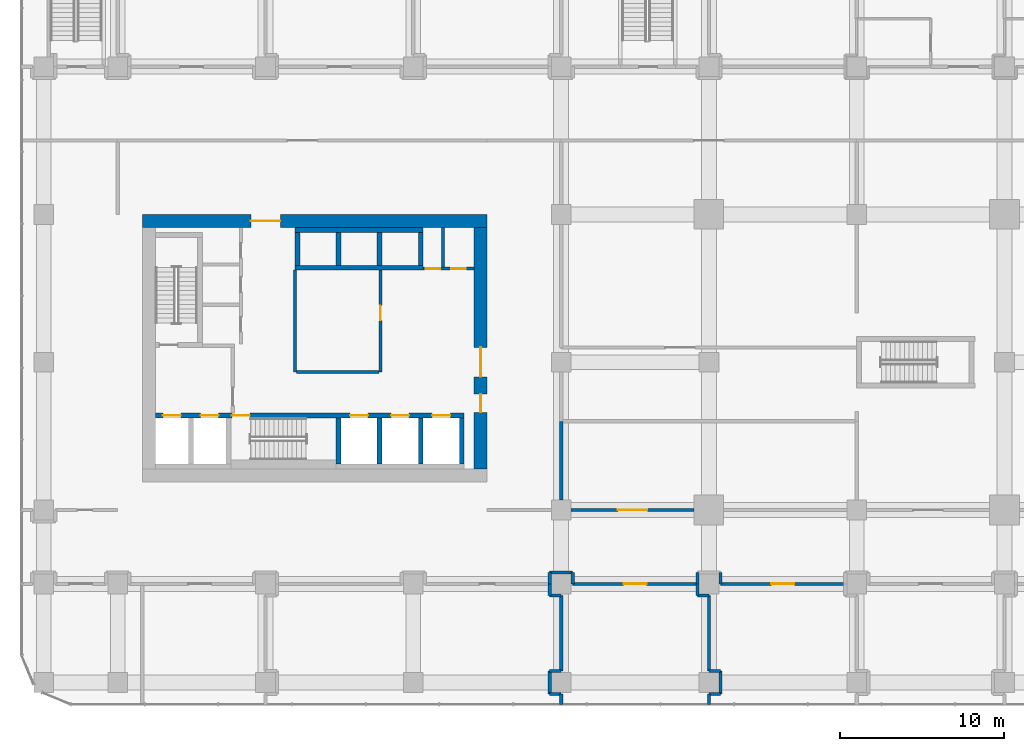
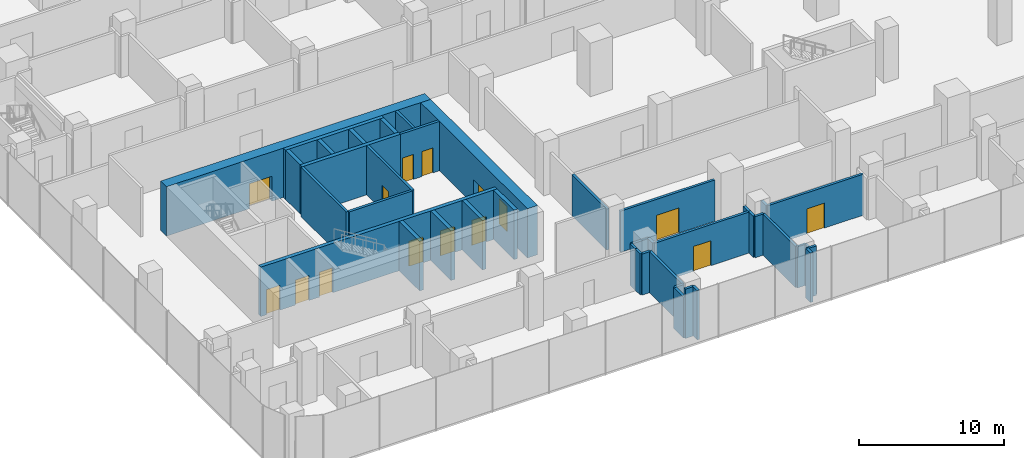
# One storey, part 29 of 43: 41 walls, 15 doors, 15 openings.
"""IFC4 building model written with IfcOpenShell, lengths in metres."""

from ifc_helpers import new_model, si_unit, direction, frame, frame_2d, origin, place, context, subcontext, project, spatial, rectangle, extrude, material, layer, layer_set, type_object, element, fill, save


model = new_model("IFC4")

# Units and contexts
model_context = context("Model", 3, precision=1e-05, world=origin(), true_north=direction((0.0, 1.0)))
body_context = subcontext(model_context, "Body", "Model", "MODEL_VIEW")
ifc_project = project(units=[si_unit("LENGTHUNIT", "METRE"), si_unit("AREAUNIT", "SQUARE_METRE"), si_unit("VOLUMEUNIT", "CUBIC_METRE"), si_unit("PLANEANGLEUNIT", "RADIAN"), si_unit("MASSUNIT", "GRAM", prefix="KILO")], contexts=[model_context])

# Site, building, storey
site_placement = place(None, origin())
site = spatial("IfcSite", under=ifc_project, at=site_placement, CompositionType="ELEMENT")
building_placement = place(site_placement, origin())
building = spatial("IfcBuilding", under=site, at=building_placement, Name="Plateau Cross Towers", CompositionType="ELEMENT")
storey_placement = place(building_placement, frame((0.0, 0.0, 12.800048828125)))
storey = spatial("IfcBuildingStorey", under=building, at=storey_placement, Name="L02", CompositionType="ELEMENT", Elevation=12.800048828125)

# Walls
ifc_material_1 = material(Name="Concrete block, plastered both sides", Category="concrete")
ifc_layer_1 = layer(ifc_material_1, 0.199951171875)
ifc_layer_set_1 = layer_set([ifc_layer_1], Name="Concrete block, plastered both sides")
wall_type_1 = type_object("IfcWallType", Name="Core partition 200", PredefinedType="PARTITIONING", material=ifc_layer_set_1)
wall_1_placement = place(storey_placement, frame((10.800048828125, 8.39990234375, 0.0), z_axis=(0.0, 0.0, 1.0), x_axis=(0.0, 1.0, 0.0)))
element("IfcWall", 1, at=wall_1_placement, inside=storey, type_object=wall_type_1, Name="Core partition", PredefinedType="PARTITIONING", context=body_context, shape_type="SweptSolid", body=[
    extrude(rectangle(XDim=6.2001953125, YDim=0.199951171875, at=frame_2d((3.10009765625, 0.0))), origin(), (0.0, 0.0, 1.0), 4.14990234375),
])
wall_2_placement = place(storey_placement, frame((10.89990234375, 8.39990234375, 0.0), z_axis=(0.0, 0.0, 1.0), x_axis=(1.0, 0.0, 0.0)))
element("IfcWall", 2, at=wall_2_placement, inside=storey, type_object=wall_type_1, Name="Core partition", PredefinedType="PARTITIONING", context=body_context, shape_type="SweptSolid", body=[
    extrude(rectangle(XDim=5.0, YDim=0.199951171875, at=frame_2d((2.5, 0.0))), origin(), (0.0, 0.0, 1.0), 4.14990234375),
])

# Wall, opening, door
wall_3_placement = place(storey_placement, frame((16.0, 8.39990234375, 0.0), z_axis=(0.0, 0.0, 1.0), x_axis=(0.0, 1.0, 0.0)))
wall_3 = element("IfcWall", 3, at=wall_3_placement, inside=storey, type_object=wall_type_1, Name="Core partition", PredefinedType="PARTITIONING", context=body_context, shape_type="SweptSolid", body=[
    extrude(rectangle(XDim=6.2001953125, YDim=0.199951171875, at=frame_2d((3.10009765625, 0.0))), origin(), (0.0, 0.0, 1.0), 4.14990234375),
])
opening_1_placement = place(wall_3_placement, frame((3.14990234375, 0.0, 0.0)))
opening_1 = element("IfcOpeningElement", 4, at=opening_1_placement, cuts=wall_3, Name="Opening RD1", PredefinedType="OPENING", context=body_context, shape_type="SweptSolid", body=[
    extrude(rectangle(XDim=0.89990234375, YDim=2.10009765625, at=frame_2d((0.449951171875, 1.050048828125))), frame((0.0, 0.10986328125, 0.0), z_axis=(0.0, -1.0, 0.0), x_axis=(1.0, 0.0, 0.0)), (0.0, 0.0, 1.0), 0.219970703125),
])
ifc_material_2 = material(Name="Timber, fire-resisting leaf", Category="wood")
door_type_1 = type_object("IfcDoorType", Name="Core service door 900", OperationType="NOTDEFINED", PredefinedType="DOOR", material=ifc_material_2)
door_1_placement = place(opening_1_placement, origin())
door_1 = element("IfcDoor", 5, at=door_1_placement, inside=storey, type_object=door_type_1, Name="Core service door RD1", OperationType="SINGLE_SWING_LEFT", OverallHeight=2.10009765625, OverallWidth=0.89990234375, PredefinedType="DOOR", context=body_context, shape_type="SweptSolid", body=[
    extrude(rectangle(XDim=0.89990234375, YDim=2.10009765625, at=frame_2d((0.449951171875, 1.050048828125))), frame((0.0, 0.02490234375, 0.0), z_axis=(0.0, -1.0, 0.0), x_axis=(1.0, 0.0, 0.0)), (0.0, 0.0, 1.0), 0.050048828125),
])
fill(opening_1, door_1)

# Wall, openings, doors
wall_4_placement = place(storey_placement, frame((18.60009765625, 14.699951171875, 0.0), z_axis=(0.0, 0.0, 1.0), x_axis=(1.0, 0.0, 0.0)))
wall_4 = element("IfcWall", 6, at=wall_4_placement, inside=storey, type_object=wall_type_1, Name="Core partition", PredefinedType="PARTITIONING", context=body_context, shape_type="SweptSolid", body=[
    extrude(rectangle(XDim=3.099853515625, YDim=0.199951171875, at=frame_2d((1.5498046875, 0.0))), origin(), (0.0, 0.0, 1.0), 4.14990234375),
])
opening_2_placement = place(wall_4_placement, frame((0.14990234375, 0.0, 0.0)))
opening_2 = element("IfcOpeningElement", 7, at=opening_2_placement, cuts=wall_4, Name="Opening RD2", PredefinedType="OPENING", context=body_context, shape_type="SweptSolid", body=[
    extrude(rectangle(XDim=0.89990234375, YDim=2.10009765625, at=frame_2d((0.449951171875, 1.050048828125))), frame((0.0, 0.10986328125, 0.0), z_axis=(0.0, -1.0, 0.0), x_axis=(1.0, 0.0, 0.0)), (0.0, 0.0, 1.0), 0.219970703125),
])
opening_3_placement = place(wall_4_placement, frame((1.699951171875, 0.0, 0.0)))
opening_3 = element("IfcOpeningElement", 8, at=opening_3_placement, cuts=wall_4, Name="Opening RD2", PredefinedType="OPENING", context=body_context, shape_type="SweptSolid", body=[
    extrude(rectangle(XDim=0.89990234375, YDim=2.10009765625, at=frame_2d((0.449951171875, 1.050048828125))), frame((0.0, 0.10986328125, 0.0), z_axis=(0.0, -1.0, 0.0), x_axis=(1.0, 0.0, 0.0)), (0.0, 0.0, 1.0), 0.219970703125),
])
ifc_material_3 = material(Name="Steel, fire-resisting leaf", Category="steel")
door_type_2 = type_object("IfcDoorType", Name="Core riser door 900", OperationType="NOTDEFINED", PredefinedType="DOOR", material=ifc_material_3)
door_2_placement = place(opening_2_placement, origin())
door_2 = element("IfcDoor", 9, at=door_2_placement, inside=storey, type_object=door_type_2, Name="Core riser door RD2", OperationType="SINGLE_SWING_LEFT", OverallHeight=2.10009765625, OverallWidth=0.89990234375, PredefinedType="DOOR", context=body_context, shape_type="SweptSolid", body=[
    extrude(rectangle(XDim=0.89990234375, YDim=2.10009765625, at=frame_2d((0.449951171875, 1.050048828125))), frame((0.0, 0.02490234375, 0.0), z_axis=(0.0, -1.0, 0.0), x_axis=(1.0, 0.0, 0.0)), (0.0, 0.0, 1.0), 0.050048828125),
])
fill(opening_2, door_2)
door_3_placement = place(opening_3_placement, origin())
door_3 = element("IfcDoor", 10, at=door_3_placement, inside=storey, type_object=door_type_2, Name="Core riser door RD2", OperationType="SINGLE_SWING_LEFT", OverallHeight=2.10009765625, OverallWidth=0.89990234375, PredefinedType="DOOR", context=body_context, shape_type="SweptSolid", body=[
    extrude(rectangle(XDim=0.89990234375, YDim=2.10009765625, at=frame_2d((0.449951171875, 1.050048828125))), frame((0.0, 0.02490234375, 0.0), z_axis=(0.0, -1.0, 0.0), x_axis=(1.0, 0.0, 0.0)), (0.0, 0.0, 1.0), 0.050048828125),
])
fill(opening_3, door_3)

# Walls
wall_5_placement = place(storey_placement, frame((19.800048828125, 14.800048828125, 0.0), z_axis=(0.0, 0.0, 1.0), x_axis=(0.0, 1.0, 0.0)))
element("IfcWall", 11, at=wall_5_placement, inside=storey, type_object=wall_type_1, Name="Core partition", PredefinedType="PARTITIONING", context=body_context, shape_type="SweptSolid", body=[
    extrude(rectangle(XDim=2.39990234375, YDim=0.199951171875, at=frame_2d((1.199951171875, 0.0))), origin(), (0.0, 0.0, 1.0), 4.14990234375),
])
ifc_material_4 = material(Name="Concrete C60/75", Category="concrete")
ifc_layer_2 = layer(ifc_material_4, 0.300048828125)
ifc_layer_set_2 = layer_set([ifc_layer_2], Name="Concrete C60/75")
wall_type_2 = type_object("IfcWallType", Name="Core shaft wall 300", PredefinedType="SHEAR", material=ifc_layer_set_2)
for number, where, z_axis, x_axis, name in (
    (12, (13.449951171875, 2.800048828125, 0.0), (0.0, 0.0, 1.0), (0.0, 1.0, 0.0), "A-sb-v3@L02"),
    (13, (15.949951171875, 2.800048828125, 0.0), (0.0, 0.0, 1.0), (0.0, 1.0, 0.0), "A-sb-v4@L02"),
    (14, (18.449951171875, 2.800048828125, 0.0), (0.0, 0.0, 1.0), (0.0, 1.0, 0.0), "A-sb-v5@L02"),
    (15, (20.949951171875, 2.800048828125, 0.0), (0.0, 0.0, 1.0), (0.0, 1.0, 0.0), "A-sb-v6@L02"),
):
    element("IfcWall", number, at=place(storey_placement, frame(where, z_axis=z_axis, x_axis=x_axis)), inside=storey, type_object=wall_type_2, Name=name, PredefinedType="SHEAR", context=body_context, shape_type="SweptSolid", body=[
        extrude(rectangle(XDim=2.800048828125, YDim=0.300048828125, at=frame_2d((1.39990234375, 0.0))), origin(), (0.0, 0.0, 1.0), 4.14990234375),
    ])

# Wall, openings, doors
wall_6_placement = place(storey_placement, frame((2.300048828125, 5.75, 0.0), z_axis=(0.0, 0.0, 1.0), x_axis=(1.0, 0.0, 0.0)))
wall_6 = element("IfcWall", 16, at=wall_6_placement, inside=storey, type_object=wall_type_2, Name="A-sb-front@L02", PredefinedType="SHEAR", context=body_context, shape_type="SweptSolid", body=[
    extrude(rectangle(XDim=18.800048828125, YDim=0.300048828125, at=frame_2d((9.39990234375, 0.0))), origin(), (0.0, 0.0, 1.0), 4.14990234375),
])
opening_4_placement = place(wall_6_placement, frame((4.64990234375, 0.0, 0.0)))
opening_4 = element("IfcOpeningElement", 17, at=opening_4_placement, cuts=wall_6, Name="Opening SD", PredefinedType="OPENING", context=body_context, shape_type="SweptSolid", body=[
    extrude(rectangle(XDim=1.10009765625, YDim=2.10009765625, at=frame_2d((0.550048828125, 1.050048828125))), frame((0.0, 0.159912109375, 0.0), z_axis=(0.0, -1.0, 0.0), x_axis=(1.0, 0.0, 0.0)), (0.0, 0.0, 1.0), 0.320068359375),
])
opening_5_placement = place(wall_6_placement, frame((0.449951171875, 0.0, 0.0)))
opening_5 = element("IfcOpeningElement", 18, at=opening_5_placement, cuts=wall_6, Name="Opening LD", PredefinedType="OPENING", context=body_context, shape_type="SweptSolid", body=[
    extrude(rectangle(XDim=1.10009765625, YDim=2.10009765625, at=frame_2d((0.550048828125, 1.050048828125))), frame((0.0, 0.159912109375, 0.0), z_axis=(0.0, -1.0, 0.0), x_axis=(1.0, 0.0, 0.0)), (0.0, 0.0, 1.0), 0.320068359375),
])
opening_6_placement = place(wall_6_placement, frame((2.75, 0.0, 0.0)))
opening_6 = element("IfcOpeningElement", 19, at=opening_6_placement, cuts=wall_6, Name="Opening LD", PredefinedType="OPENING", context=body_context, shape_type="SweptSolid", body=[
    extrude(rectangle(XDim=1.10009765625, YDim=2.10009765625, at=frame_2d((0.550048828125, 1.050048828125))), frame((0.0, 0.159912109375, 0.0), z_axis=(0.0, -1.0, 0.0), x_axis=(1.0, 0.0, 0.0)), (0.0, 0.0, 1.0), 0.320068359375),
])
opening_7_placement = place(wall_6_placement, frame((11.85009765625, 0.0, 0.0)))
opening_7 = element("IfcOpeningElement", 20, at=opening_7_placement, cuts=wall_6, Name="Opening LD", PredefinedType="OPENING", context=body_context, shape_type="SweptSolid", body=[
    extrude(rectangle(XDim=1.10009765625, YDim=2.10009765625, at=frame_2d((0.550048828125, 1.050048828125))), frame((0.0, 0.159912109375, 0.0), z_axis=(0.0, -1.0, 0.0), x_axis=(1.0, 0.0, 0.0)), (0.0, 0.0, 1.0), 0.320068359375),
])
opening_8_placement = place(wall_6_placement, frame((14.35009765625, 0.0, 0.0)))
opening_8 = element("IfcOpeningElement", 21, at=opening_8_placement, cuts=wall_6, Name="Opening LD", PredefinedType="OPENING", context=body_context, shape_type="SweptSolid", body=[
    extrude(rectangle(XDim=1.10009765625, YDim=2.10009765625, at=frame_2d((0.550048828125, 1.050048828125))), frame((0.0, 0.159912109375, 0.0), z_axis=(0.0, -1.0, 0.0), x_axis=(1.0, 0.0, 0.0)), (0.0, 0.0, 1.0), 0.320068359375),
])
opening_9_placement = place(wall_6_placement, frame((16.85009765625, 0.0, 0.0)))
opening_9 = element("IfcOpeningElement", 22, at=opening_9_placement, cuts=wall_6, Name="Opening LD", PredefinedType="OPENING", context=body_context, shape_type="SweptSolid", body=[
    extrude(rectangle(XDim=1.10009765625, YDim=2.10009765625, at=frame_2d((0.550048828125, 1.050048828125))), frame((0.0, 0.159912109375, 0.0), z_axis=(0.0, -1.0, 0.0), x_axis=(1.0, 0.0, 0.0)), (0.0, 0.0, 1.0), 0.320068359375),
])
ifc_material_5 = material(Name="Stainless steel, fire-resisting sliding leaves", Category="steel")
door_type_3 = type_object("IfcDoorType", Name="Lift landing door 1100", OperationType="NOTDEFINED", PredefinedType="DOOR", material=ifc_material_5)
door_4_placement = place(opening_5_placement, origin())
door_4 = element("IfcDoor", 23, at=door_4_placement, inside=storey, type_object=door_type_3, Name="Lift landing door LD", OperationType="DOUBLE_DOOR_SLIDING", OverallHeight=2.10009765625, OverallWidth=1.10009765625, PredefinedType="DOOR", context=body_context, shape_type="SweptSolid", body=[
    extrude(rectangle(XDim=1.10009765625, YDim=2.10009765625, at=frame_2d((0.550048828125, 1.050048828125))), frame((0.0, 0.02490234375, 0.0), z_axis=(0.0, -1.0, 0.0), x_axis=(1.0, 0.0, 0.0)), (0.0, 0.0, 1.0), 0.050048828125),
])
fill(opening_5, door_4)
door_5_placement = place(opening_6_placement, origin())
door_5 = element("IfcDoor", 24, at=door_5_placement, inside=storey, type_object=door_type_3, Name="Lift landing door LD", OperationType="DOUBLE_DOOR_SLIDING", OverallHeight=2.10009765625, OverallWidth=1.10009765625, PredefinedType="DOOR", context=body_context, shape_type="SweptSolid", body=[
    extrude(rectangle(XDim=1.10009765625, YDim=2.10009765625, at=frame_2d((0.550048828125, 1.050048828125))), frame((0.0, 0.02490234375, 0.0), z_axis=(0.0, -1.0, 0.0), x_axis=(1.0, 0.0, 0.0)), (0.0, 0.0, 1.0), 0.050048828125),
])
fill(opening_6, door_5)
door_6_placement = place(opening_7_placement, origin())
door_6 = element("IfcDoor", 25, at=door_6_placement, inside=storey, type_object=door_type_3, Name="Lift landing door LD", OperationType="DOUBLE_DOOR_SLIDING", OverallHeight=2.10009765625, OverallWidth=1.10009765625, PredefinedType="DOOR", context=body_context, shape_type="SweptSolid", body=[
    extrude(rectangle(XDim=1.10009765625, YDim=2.10009765625, at=frame_2d((0.550048828125, 1.050048828125))), frame((0.0, 0.02490234375, 0.0), z_axis=(0.0, -1.0, 0.0), x_axis=(1.0, 0.0, 0.0)), (0.0, 0.0, 1.0), 0.050048828125),
])
fill(opening_7, door_6)
door_7_placement = place(opening_8_placement, origin())
door_7 = element("IfcDoor", 26, at=door_7_placement, inside=storey, type_object=door_type_3, Name="Lift landing door LD", OperationType="DOUBLE_DOOR_SLIDING", OverallHeight=2.10009765625, OverallWidth=1.10009765625, PredefinedType="DOOR", context=body_context, shape_type="SweptSolid", body=[
    extrude(rectangle(XDim=1.10009765625, YDim=2.10009765625, at=frame_2d((0.550048828125, 1.050048828125))), frame((0.0, 0.02490234375, 0.0), z_axis=(0.0, -1.0, 0.0), x_axis=(1.0, 0.0, 0.0)), (0.0, 0.0, 1.0), 0.050048828125),
])
fill(opening_8, door_7)
door_8_placement = place(opening_9_placement, origin())
door_8 = element("IfcDoor", 27, at=door_8_placement, inside=storey, type_object=door_type_3, Name="Lift landing door LD", OperationType="DOUBLE_DOOR_SLIDING", OverallHeight=2.10009765625, OverallWidth=1.10009765625, PredefinedType="DOOR", context=body_context, shape_type="SweptSolid", body=[
    extrude(rectangle(XDim=1.10009765625, YDim=2.10009765625, at=frame_2d((0.550048828125, 1.050048828125))), frame((0.0, 0.02490234375, 0.0), z_axis=(0.0, -1.0, 0.0), x_axis=(1.0, 0.0, 0.0)), (0.0, 0.0, 1.0), 0.050048828125),
])
fill(opening_9, door_8)
door_type_4 = type_object("IfcDoorType", Name="Stair door 1100", OperationType="NOTDEFINED", PredefinedType="DOOR", material=ifc_material_3)
door_9_placement = place(opening_4_placement, origin())
door_9 = element("IfcDoor", 28, at=door_9_placement, inside=storey, type_object=door_type_4, Name="Stair door SD", OperationType="SINGLE_SWING_LEFT", OverallHeight=2.10009765625, OverallWidth=1.10009765625, PredefinedType="DOOR", context=body_context, shape_type="SweptSolid", body=[
    extrude(rectangle(XDim=1.10009765625, YDim=2.10009765625, at=frame_2d((0.550048828125, 1.050048828125))), frame((0.0, 0.02490234375, 0.0), z_axis=(0.0, -1.0, 0.0), x_axis=(1.0, 0.0, 0.0)), (0.0, 0.0, 1.0), 0.050048828125),
])
fill(opening_4, door_9)

# Walls
for number, where, z_axis, x_axis, name in (
    (29, (10.800048828125, 17.050048828125, 0.0), (0.0, 0.0, 1.0), (1.0, 0.0, 0.0), "A-nb-back@L02"),
    (30, (10.800048828125, 14.75, 0.0), (0.0, 0.0, 1.0), (1.0, 0.0, 0.0), "A-nb-front@L02"),
):
    element("IfcWall", number, at=place(storey_placement, frame(where, z_axis=z_axis, x_axis=x_axis)), inside=storey, type_object=wall_type_2, Name=name, PredefinedType="SHEAR", context=body_context, shape_type="SweptSolid", body=[
        extrude(rectangle(XDim=7.800048828125, YDim=0.300048828125, at=frame_2d((3.89990234375, 0.0))), origin(), (0.0, 0.0, 1.0), 4.14990234375),
    ])
for number, where, z_axis, x_axis, name in (
    (31, (10.949951171875, 14.89990234375, 0.0), (0.0, 0.0, 1.0), (0.0, 1.0, 0.0), "A-nb-v1@L02"),
    (32, (13.449951171875, 14.89990234375, 0.0), (0.0, 0.0, 1.0), (0.0, 1.0, 0.0), "A-nb-v2@L02"),
    (33, (15.949951171875, 14.89990234375, 0.0), (0.0, 0.0, 1.0), (0.0, 1.0, 0.0), "A-nb-v3@L02"),
    (34, (18.449951171875, 14.89990234375, 0.0), (0.0, 0.0, 1.0), (0.0, 1.0, 0.0), "A-nb-v4@L02"),
):
    element("IfcWall", number, at=place(storey_placement, frame(where, z_axis=z_axis, x_axis=x_axis)), inside=storey, type_object=wall_type_2, Name=name, PredefinedType="SHEAR", context=body_context, shape_type="SweptSolid", body=[
        extrude(rectangle(XDim=2.0, YDim=0.300048828125, at=frame_2d((1.0, 0.0))), origin(), (0.0, 0.0, 1.0), 4.14990234375),
    ])

# Wall, opening, door
ifc_layer_3 = layer(ifc_material_4, 0.800048828125)
ifc_layer_set_3 = layer_set([ifc_layer_3], Name="Concrete C60/75")
wall_type_3 = type_object("IfcWallType", Name="Core shell wall 800", PredefinedType="SHEAR", material=ifc_layer_set_3)
wall_7_placement = place(storey_placement, frame((1.5, 17.60009765625, 0.0), z_axis=(0.0, 0.0, 1.0), x_axis=(1.0, 0.0, 0.0)))
wall_7 = element("IfcWall", 35, at=wall_7_placement, inside=storey, type_object=wall_type_3, Name="A-core-N@L02", PredefinedType="SHEAR", context=body_context, shape_type="SweptSolid", body=[
    extrude(rectangle(XDim=21.0, YDim=0.800048828125, at=frame_2d((10.5, 0.0))), origin(), (0.0, 0.0, 1.0), 4.14990234375),
])
opening_10_placement = place(wall_7_placement, frame((6.60009765625, 0.0, 0.0)))
opening_10 = element("IfcOpeningElement", 36, at=opening_10_placement, cuts=wall_7, Name="Opening CD", PredefinedType="OPENING", context=body_context, shape_type="SweptSolid", body=[
    extrude(rectangle(XDim=1.800048828125, YDim=2.10009765625, at=frame_2d((0.89990234375, 1.050048828125))), frame((0.0, 0.409912109375, 0.0), z_axis=(0.0, -1.0, 0.0), x_axis=(1.0, 0.0, 0.0)), (0.0, 0.0, 1.0), 0.820068359375),
])
ifc_material_6 = material(Name="Steel, fire-resisting leaves", Category="steel")
door_type_5 = type_object("IfcDoorType", Name="Corridor door pair 1800", OperationType="NOTDEFINED", PredefinedType="DOOR", material=ifc_material_6)
door_10_placement = place(opening_10_placement, origin())
door_10 = element("IfcDoor", 37, at=door_10_placement, inside=storey, type_object=door_type_5, Name="Corridor door pair CD", OperationType="DOUBLE_DOOR_SINGLE_SWING", OverallHeight=2.10009765625, OverallWidth=1.800048828125, PredefinedType="DOOR", context=body_context, shape_type="SweptSolid", body=[
    extrude(rectangle(XDim=1.800048828125, YDim=2.10009765625, at=frame_2d((0.89990234375, 1.050048828125))), frame((0.0, 0.02490234375, 0.0), z_axis=(0.0, -1.0, 0.0), x_axis=(1.0, 0.0, 0.0)), (0.0, 0.0, 1.0), 0.050048828125),
])
fill(opening_10, door_10)

# Wall, openings, doors
wall_8_placement = place(storey_placement, frame((22.10009765625, 2.5, 0.0), z_axis=(0.0, 0.0, 1.0), x_axis=(0.0, 1.0, 0.0)))
wall_8 = element("IfcWall", 38, at=wall_8_placement, inside=storey, type_object=wall_type_3, Name="A-core-E@L02", PredefinedType="SHEAR", context=body_context, shape_type="SweptSolid", body=[
    extrude(rectangle(XDim=14.699951171875, YDim=0.800048828125, at=frame_2d((7.35009765625, 0.0))), origin(), (0.0, 0.0, 1.0), 4.14990234375),
])
opening_11_placement = place(wall_8_placement, frame((5.60009765625, 0.0, 0.0)))
opening_11 = element("IfcOpeningElement", 39, at=opening_11_placement, cuts=wall_8, Name="Opening CD", PredefinedType="OPENING", context=body_context, shape_type="SweptSolid", body=[
    extrude(rectangle(XDim=1.800048828125, YDim=2.10009765625, at=frame_2d((0.89990234375, 1.050048828125))), frame((0.0, 0.409912109375, 0.0), z_axis=(0.0, -1.0, 0.0), x_axis=(1.0, 0.0, 0.0)), (0.0, 0.0, 1.0), 0.820068359375),
])
opening_12_placement = place(wall_8_placement, frame((3.449951171875, 0.0, 0.0)))
opening_12 = element("IfcOpeningElement", 40, at=opening_12_placement, cuts=wall_8, Name="Opening CD1", PredefinedType="OPENING", context=body_context, shape_type="SweptSolid", body=[
    extrude(rectangle(XDim=1.10009765625, YDim=2.10009765625, at=frame_2d((0.550048828125, 1.050048828125))), frame((0.0, 0.409912109375, 0.0), z_axis=(0.0, -1.0, 0.0), x_axis=(1.0, 0.0, 0.0)), (0.0, 0.0, 1.0), 0.820068359375),
])
door_type_6 = type_object("IfcDoorType", Name="Corridor door 1100", OperationType="NOTDEFINED", PredefinedType="DOOR", material=ifc_material_3)
door_11_placement = place(opening_12_placement, origin())
door_11 = element("IfcDoor", 41, at=door_11_placement, inside=storey, type_object=door_type_6, Name="Corridor door CD1", OperationType="SINGLE_SWING_RIGHT", OverallHeight=2.10009765625, OverallWidth=1.10009765625, PredefinedType="DOOR", context=body_context, shape_type="SweptSolid", body=[
    extrude(rectangle(XDim=1.10009765625, YDim=2.10009765625, at=frame_2d((0.550048828125, 1.050048828125))), frame((0.0, 0.02490234375, 0.0), z_axis=(0.0, -1.0, 0.0), x_axis=(1.0, 0.0, 0.0)), (0.0, 0.0, 1.0), 0.050048828125),
])
fill(opening_12, door_11)
door_12_placement = place(opening_11_placement, origin())
door_12 = element("IfcDoor", 42, at=door_12_placement, inside=storey, type_object=door_type_5, Name="Corridor door pair CD", OperationType="DOUBLE_DOOR_SINGLE_SWING", OverallHeight=2.10009765625, OverallWidth=1.800048828125, PredefinedType="DOOR", context=body_context, shape_type="SweptSolid", body=[
    extrude(rectangle(XDim=1.800048828125, YDim=2.10009765625, at=frame_2d((0.89990234375, 1.050048828125))), frame((0.0, 0.02490234375, 0.0), z_axis=(0.0, -1.0, 0.0), x_axis=(1.0, 0.0, 0.0)), (0.0, 0.0, 1.0), 0.050048828125),
])
fill(opening_11, door_12)

# Wall, opening, door
ifc_material_7 = material(Name="Gypsum board on steel studs", Category="steel")
ifc_layer_4 = layer(ifc_material_7, 0.199951171875)
ifc_layer_set_4 = layer_set([ifc_layer_4], Name="Gypsum board on steel studs")
wall_type_4 = type_object("IfcWallType", Name="Podium partition 200", PredefinedType="PARTITIONING", material=ifc_layer_set_4)
wall_9_placement = place(storey_placement, frame((27.60009765625, 0.0, 0.0), z_axis=(0.0, 0.0, 1.0), x_axis=(1.0, 0.0, 0.0)))
wall_9 = element("IfcWall", 43, at=wall_9_placement, inside=storey, type_object=wall_type_4, Name="Partition wall", PredefinedType="PARTITIONING", context=body_context, shape_type="SweptSolid", body=[
    extrude(rectangle(XDim=7.5, YDim=0.199951171875, at=frame_2d((3.75, 0.0))), origin(), (0.0, 0.0, 1.0), 3.449951171875),
])
opening_13_placement = place(wall_9_placement, frame((2.85009765625, 0.0, 0.0)))
opening_13 = element("IfcOpeningElement", 44, at=opening_13_placement, cuts=wall_9, Name="Opening 02-42", PredefinedType="OPENING", context=body_context, shape_type="SweptSolid", body=[
    extrude(rectangle(XDim=1.800048828125, YDim=2.10009765625, at=frame_2d((0.89990234375, 1.050048828125))), frame((0.0, 0.10986328125, 0.0), z_axis=(0.0, -1.0, 0.0), x_axis=(1.0, 0.0, 0.0)), (0.0, 0.0, 1.0), 0.219970703125),
])
ifc_material_8 = material(Name="Aluminium frame, toughened glass", Category="aluminium")
door_type_7 = type_object("IfcDoorType", Name="Podium door pair 1800", OperationType="NOTDEFINED", PredefinedType="DOOR", material=ifc_material_8)
door_13_placement = place(opening_13_placement, origin())
door_13 = element("IfcDoor", 45, at=door_13_placement, inside=storey, type_object=door_type_7, Name="Door 02-42", OperationType="DOUBLE_DOOR_SINGLE_SWING", OverallHeight=2.10009765625, OverallWidth=1.800048828125, PredefinedType="DOOR", context=body_context, shape_type="SweptSolid", body=[
    extrude(rectangle(XDim=1.800048828125, YDim=2.10009765625, at=frame_2d((0.89990234375, 1.050048828125))), frame((0.0, 0.02490234375, 0.0), z_axis=(0.0, -1.0, 0.0), x_axis=(1.0, 0.0, 0.0)), (0.0, 0.0, 1.0), 0.050048828125),
])
fill(opening_13, door_13)

wall_10_placement = place(storey_placement, frame((44.300048828125, -4.5, 0.0), z_axis=(0.0, 0.0, 1.0), x_axis=(-1.0, 0.0, 0.0)))
wall_10 = element("IfcWall", 46, at=wall_10_placement, inside=storey, type_object=wall_type_4, Name="Partition wall", PredefinedType="PARTITIONING", context=body_context, shape_type="SweptSolid", body=[
    extrude(rectangle(XDim=7.60009765625, YDim=0.199951171875, at=frame_2d((3.800048828125, 0.0))), origin(), (0.0, 0.0, 1.0), 3.449951171875),
])
opening_14_placement = place(wall_10_placement, frame((3.10009765625, 0.0, 0.0)))
opening_14 = element("IfcOpeningElement", 47, at=opening_14_placement, cuts=wall_10, Name="Opening 02-11", PredefinedType="OPENING", context=body_context, shape_type="SweptSolid", body=[
    extrude(rectangle(XDim=1.39990234375, YDim=2.10009765625, at=frame_2d((0.699951171875, 1.050048828125))), frame((0.0, 0.10986328125, 0.0), z_axis=(0.0, -1.0, 0.0), x_axis=(1.0, 0.0, 0.0)), (0.0, 0.0, 1.0), 0.219970703125),
])
ifc_material_9 = material(Name="Timber, hospital grade leaf", Category="wood")
door_type_8 = type_object("IfcDoorType", Name="Clinic bed access door 1400x2100", OperationType="NOTDEFINED", PredefinedType="DOOR", material=ifc_material_9)
door_14_placement = place(opening_14_placement, origin())
door_14 = element("IfcDoor", 48, at=door_14_placement, inside=storey, type_object=door_type_8, Name="Door 02-11", OperationType="SINGLE_SWING_LEFT", OverallHeight=2.10009765625, OverallWidth=1.39990234375, PredefinedType="DOOR", context=body_context, shape_type="SweptSolid", body=[
    extrude(rectangle(XDim=1.39990234375, YDim=2.10009765625, at=frame_2d((0.699951171875, 1.050048828125))), frame((0.0, 0.02490234375, 0.0), z_axis=(0.0, -1.0, 0.0), x_axis=(1.0, 0.0, 0.0)), (0.0, 0.0, 1.0), 0.050048828125),
])
fill(opening_14, door_14)

# Walls
for number, where, z_axis, x_axis, name in (
    (49, (36.699951171875, -4.5, 0.0), (0.0, 0.0, 1.0), (0.0, 1.0, 0.0), "Partition wall"),
    (50, (35.300048828125, -3.800048828125, 0.0), (0.0, 0.0, 1.0), (0.0, -1.0, 0.0), "Partition wall"),
):
    element("IfcWall", number, at=place(storey_placement, frame(where, z_axis=z_axis, x_axis=x_axis)), inside=storey, type_object=wall_type_4, Name=name, PredefinedType="PARTITIONING", context=body_context, shape_type="SweptSolid", body=[
        extrude(rectangle(XDim=0.699951171875, YDim=0.199951171875, at=frame_2d((0.35009765625, 0.0))), origin(), (0.0, 0.0, 1.0), 3.449951171875),
    ])

# Wall, opening, door
wall_11_placement = place(storey_placement, frame((35.300048828125, -4.5, 0.0), z_axis=(0.0, 0.0, 1.0), x_axis=(-1.0, 0.0, 0.0)))
wall_11 = element("IfcWall", 51, at=wall_11_placement, inside=storey, type_object=wall_type_4, Name="Partition wall", PredefinedType="PARTITIONING", context=body_context, shape_type="SweptSolid", body=[
    extrude(rectangle(XDim=7.60009765625, YDim=0.199951171875, at=frame_2d((3.800048828125, 0.0))), origin(), (0.0, 0.0, 1.0), 3.449951171875),
])
opening_15_placement = place(wall_11_placement, frame((3.10009765625, 0.0, 0.0)))
opening_15 = element("IfcOpeningElement", 52, at=opening_15_placement, cuts=wall_11, Name="Opening 02-10", PredefinedType="OPENING", context=body_context, shape_type="SweptSolid", body=[
    extrude(rectangle(XDim=1.39990234375, YDim=2.10009765625, at=frame_2d((0.699951171875, 1.050048828125))), frame((0.0, 0.10986328125, 0.0), z_axis=(0.0, -1.0, 0.0), x_axis=(1.0, 0.0, 0.0)), (0.0, 0.0, 1.0), 0.219970703125),
])
door_15_placement = place(opening_15_placement, origin())
door_15 = element("IfcDoor", 53, at=door_15_placement, inside=storey, type_object=door_type_8, Name="Door 02-10", OperationType="SINGLE_SWING_LEFT", OverallHeight=2.10009765625, OverallWidth=1.39990234375, PredefinedType="DOOR", context=body_context, shape_type="SweptSolid", body=[
    extrude(rectangle(XDim=1.39990234375, YDim=2.10009765625, at=frame_2d((0.699951171875, 1.050048828125))), frame((0.0, 0.02490234375, 0.0), z_axis=(0.0, -1.0, 0.0), x_axis=(1.0, 0.0, 0.0)), (0.0, 0.0, 1.0), 0.050048828125),
])
fill(opening_15, door_15)

# Walls
wall_12_placement = place(storey_placement, frame((27.699951171875, -4.5, 0.0), z_axis=(0.0, 0.0, 1.0), x_axis=(0.0, 1.0, 0.0)))
element("IfcWall", 54, at=wall_12_placement, inside=storey, type_object=wall_type_4, Name="Partition wall", PredefinedType="PARTITIONING", context=body_context, shape_type="SweptSolid", body=[
    extrude(rectangle(XDim=0.699951171875, YDim=0.199951171875, at=frame_2d((0.35009765625, 0.0))), origin(), (0.0, 0.0, 1.0), 3.449951171875),
])
wall_13_placement = place(storey_placement, frame((27.699951171875, -3.800048828125, 0.0), z_axis=(0.0, 0.0, 1.0), x_axis=(-1.0, 0.0, 0.0)))
element("IfcWall", 55, at=wall_13_placement, inside=storey, type_object=wall_type_4, Name="Partition wall", PredefinedType="PARTITIONING", context=body_context, shape_type="SweptSolid", body=[
    extrude(rectangle(XDim=1.39990234375, YDim=0.199951171875, at=frame_2d((0.699951171875, 0.0))), origin(), (0.0, 0.0, 1.0), 3.449951171875),
])
for number, where, z_axis, x_axis, name in (
    (56, (26.300048828125, -3.800048828125, 0.0), (0.0, 0.0, 1.0), (0.0, -1.0, 0.0), "Partition wall"),
    (57, (26.300048828125, -4.5, 0.0), (0.0, 0.0, 1.0), (0.0, -1.0, 0.0), "Partition wall"),
    (58, (26.300048828125, -5.199951171875, 0.0), (0.0, 0.0, 1.0), (1.0, 0.0, 0.0), "Partition wall"),
):
    element("IfcWall", number, at=place(storey_placement, frame(where, z_axis=z_axis, x_axis=x_axis)), inside=storey, type_object=wall_type_4, Name=name, PredefinedType="PARTITIONING", context=body_context, shape_type="SweptSolid", body=[
        extrude(rectangle(XDim=0.699951171875, YDim=0.199951171875, at=frame_2d((0.35009765625, 0.0))), origin(), (0.0, 0.0, 1.0), 3.449951171875),
    ])
wall_14_placement = place(storey_placement, frame((27.0, -5.199951171875, 0.0), z_axis=(0.0, 0.0, 1.0), x_axis=(0.0, -1.0, 0.0)))
element("IfcWall", 59, at=wall_14_placement, inside=storey, type_object=wall_type_4, Name="Partition wall", PredefinedType="PARTITIONING", context=body_context, shape_type="SweptSolid", body=[
    extrude(rectangle(XDim=4.60009765625, YDim=0.199951171875, at=frame_2d((2.300048828125, 0.0))), origin(), (0.0, 0.0, 1.0), 3.449951171875),
])
wall_15_placement = place(storey_placement, frame((27.0, -9.800048828125, 0.0), z_axis=(0.0, 0.0, 1.0), x_axis=(-1.0, 0.0, 0.0)))
element("IfcWall", 60, at=wall_15_placement, inside=storey, type_object=wall_type_4, Name="Partition wall", PredefinedType="PARTITIONING", context=body_context, shape_type="SweptSolid", body=[
    extrude(rectangle(XDim=0.699951171875, YDim=0.199951171875, at=frame_2d((0.35009765625, 0.0))), origin(), (0.0, 0.0, 1.0), 3.449951171875),
])
wall_16_placement = place(storey_placement, frame((26.300048828125, -9.800048828125, 0.0), z_axis=(0.0, 0.0, 1.0), x_axis=(0.0, -1.0, 0.0)))
element("IfcWall", 61, at=wall_16_placement, inside=storey, type_object=wall_type_4, Name="Partition wall", PredefinedType="PARTITIONING", context=body_context, shape_type="SweptSolid", body=[
    extrude(rectangle(XDim=1.39990234375, YDim=0.199951171875, at=frame_2d((0.699951171875, 0.0))), origin(), (0.0, 0.0, 1.0), 3.449951171875),
])
wall_17_placement = place(storey_placement, frame((26.300048828125, -11.199951171875, 0.0), z_axis=(0.0, 0.0, 1.0), x_axis=(1.0, 0.0, 0.0)))
element("IfcWall", 62, at=wall_17_placement, inside=storey, type_object=wall_type_4, Name="Partition wall", PredefinedType="PARTITIONING", context=body_context, shape_type="SweptSolid", body=[
    extrude(rectangle(XDim=0.699951171875, YDim=0.199951171875, at=frame_2d((0.35009765625, 0.0))), origin(), (0.0, 0.0, 1.0), 4.14990234375),
])
wall_18_placement = place(storey_placement, frame((27.0, -11.199951171875, 0.0), z_axis=(0.0, 0.0, 1.0), x_axis=(0.0, -1.0, 0.0)))
element("IfcWall", 63, at=wall_18_placement, inside=storey, type_object=wall_type_4, Name="Partition wall", PredefinedType="PARTITIONING", context=body_context, shape_type="SweptSolid", body=[
    extrude(rectangle(XDim=0.650146484375, YDim=0.199951171875, at=frame_2d((0.3251953125, 0.0))), origin(), (0.0, 0.0, 1.0), 4.14990234375),
])
for number, where, z_axis, x_axis, name in (
    (64, (35.300048828125, -4.5, 0.0), (0.0, 0.0, 1.0), (0.0, -1.0, 0.0), "Partition wall"),
    (65, (35.300048828125, -5.199951171875, 0.0), (0.0, 0.0, 1.0), (1.0, 0.0, 0.0), "Partition wall"),
):
    element("IfcWall", number, at=place(storey_placement, frame(where, z_axis=z_axis, x_axis=x_axis)), inside=storey, type_object=wall_type_4, Name=name, PredefinedType="PARTITIONING", context=body_context, shape_type="SweptSolid", body=[
        extrude(rectangle(XDim=0.699951171875, YDim=0.199951171875, at=frame_2d((0.35009765625, 0.0))), origin(), (0.0, 0.0, 1.0), 3.449951171875),
    ])
wall_19_placement = place(storey_placement, frame((36.0, -5.199951171875, 0.0), z_axis=(0.0, 0.0, 1.0), x_axis=(0.0, -1.0, 0.0)))
element("IfcWall", 66, at=wall_19_placement, inside=storey, type_object=wall_type_4, Name="Partition wall", PredefinedType="PARTITIONING", context=body_context, shape_type="SweptSolid", body=[
    extrude(rectangle(XDim=4.60009765625, YDim=0.199951171875, at=frame_2d((2.300048828125, 0.0))), origin(), (0.0, 0.0, 1.0), 3.449951171875),
])
wall_20_placement = place(storey_placement, frame((36.0, -9.800048828125, 0.0), z_axis=(0.0, 0.0, 1.0), x_axis=(1.0, 0.0, 0.0)))
element("IfcWall", 67, at=wall_20_placement, inside=storey, type_object=wall_type_4, Name="Partition wall", PredefinedType="PARTITIONING", context=body_context, shape_type="SweptSolid", body=[
    extrude(rectangle(XDim=0.699951171875, YDim=0.199951171875, at=frame_2d((0.35009765625, 0.0))), origin(), (0.0, 0.0, 1.0), 3.449951171875),
])
wall_21_placement = place(storey_placement, frame((36.699951171875, -9.800048828125, 0.0), z_axis=(0.0, 0.0, 1.0), x_axis=(0.0, -1.0, 0.0)))
element("IfcWall", 68, at=wall_21_placement, inside=storey, type_object=wall_type_4, Name="Partition wall", PredefinedType="PARTITIONING", context=body_context, shape_type="SweptSolid", body=[
    extrude(rectangle(XDim=1.39990234375, YDim=0.199951171875, at=frame_2d((0.699951171875, 0.0))), origin(), (0.0, 0.0, 1.0), 3.449951171875),
])
wall_22_placement = place(storey_placement, frame((36.699951171875, -11.199951171875, 0.0), z_axis=(0.0, 0.0, 1.0), x_axis=(-1.0, 0.0, 0.0)))
element("IfcWall", 69, at=wall_22_placement, inside=storey, type_object=wall_type_4, Name="Partition wall", PredefinedType="PARTITIONING", context=body_context, shape_type="SweptSolid", body=[
    extrude(rectangle(XDim=0.699951171875, YDim=0.199951171875, at=frame_2d((0.35009765625, 0.0))), origin(), (0.0, 0.0, 1.0), 4.14990234375),
])
wall_23_placement = place(storey_placement, frame((36.0, -11.199951171875, 0.0), z_axis=(0.0, 0.0, 1.0), x_axis=(0.0, -1.0, 0.0)))
element("IfcWall", 70, at=wall_23_placement, inside=storey, type_object=wall_type_4, Name="Partition wall", PredefinedType="PARTITIONING", context=body_context, shape_type="SweptSolid", body=[
    extrude(rectangle(XDim=0.650146484375, YDim=0.199951171875, at=frame_2d((0.3251953125, 0.0))), origin(), (0.0, 0.0, 1.0), 4.14990234375),
])
wall_24_placement = place(storey_placement, frame((27.0, 5.39990234375, 0.0), z_axis=(0.0, 0.0, 1.0), x_axis=(0.0, -1.0, 0.0)))
element("IfcWall", 71, at=wall_24_placement, inside=storey, type_object=wall_type_4, Name="Partition wall", PredefinedType="PARTITIONING", context=body_context, shape_type="SweptSolid", body=[
    extrude(rectangle(XDim=4.7998046875, YDim=0.199951171875, at=frame_2d((2.39990234375, 0.0))), origin(), (0.0, 0.0, 1.0), 3.449951171875),
])

save(model, "model.ifc")
